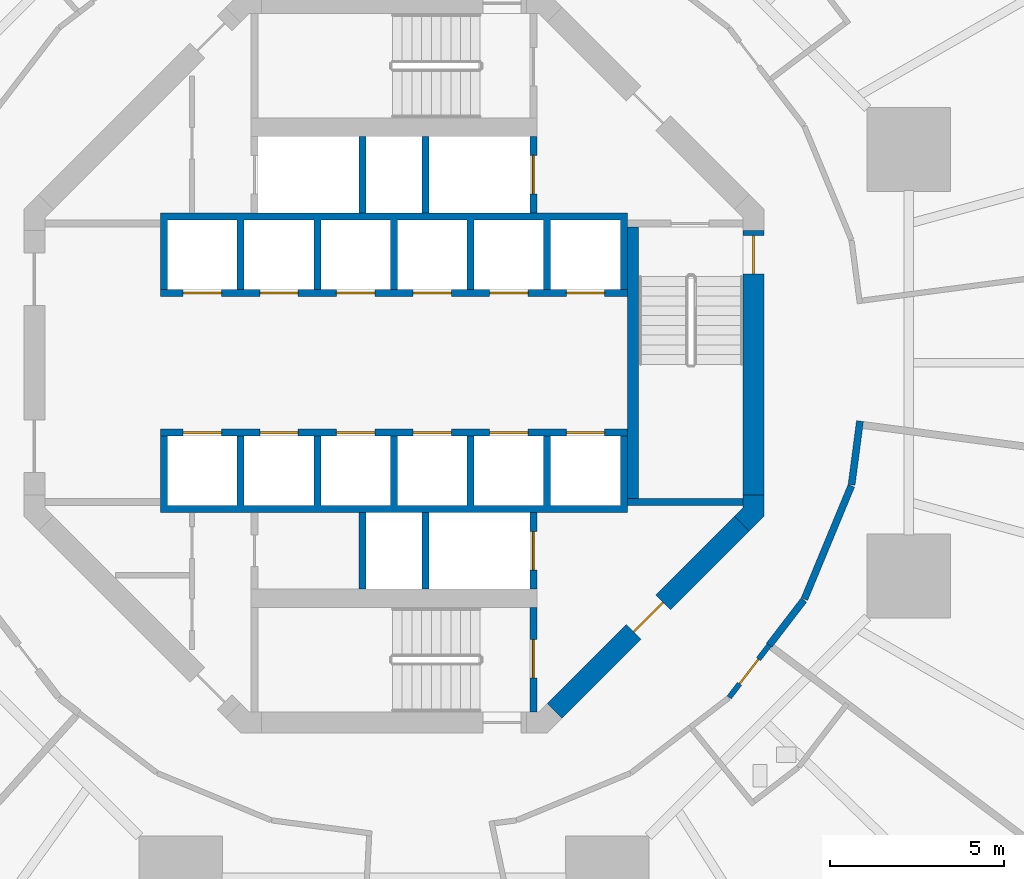
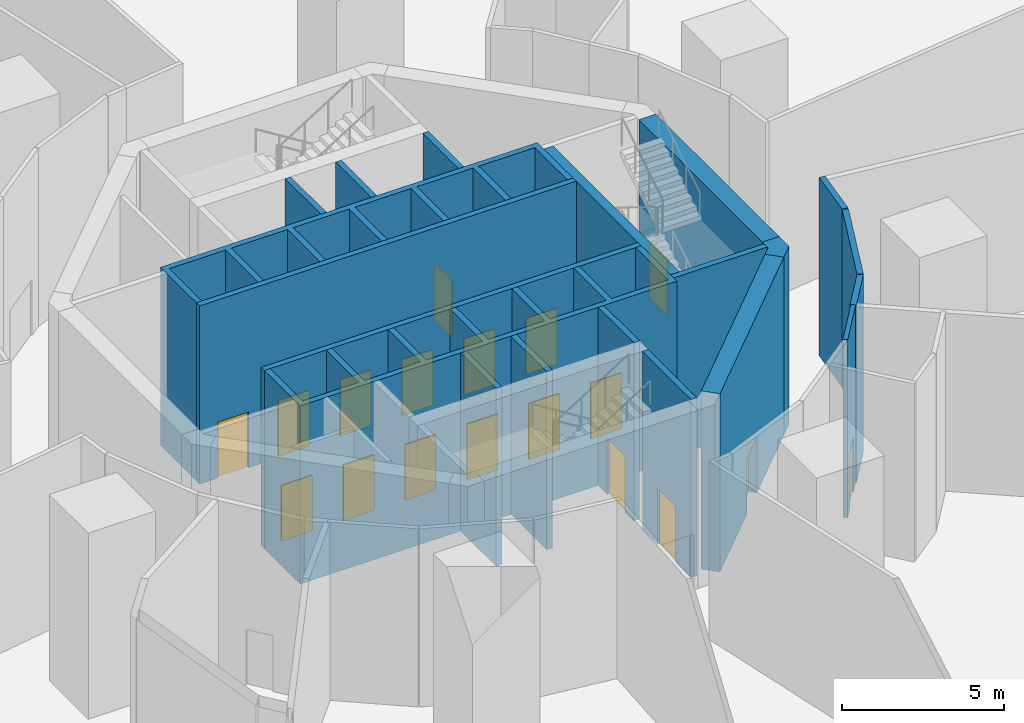
# One storey, part 60 of 67: 20 walls, 18 doors, 18 openings.
"""IFC4 building model written with IfcOpenShell, lengths in metres."""

from ifc_helpers import new_model, si_unit, direction, frame, frame_2d, origin, place, context, subcontext, project, spatial, polyline, rectangle, outline, extrude, material, layer, layer_set, type_object, element, fill, save


model = new_model("IFC4")

# Units and contexts
model_context = context("Model", 3, precision=1e-05, world=origin(), true_north=direction((0.0, 1.0)))
body_context = subcontext(model_context, "Body", "Model", "MODEL_VIEW")
ifc_project = project(units=[si_unit("LENGTHUNIT", "METRE"), si_unit("AREAUNIT", "SQUARE_METRE"), si_unit("VOLUMEUNIT", "CUBIC_METRE"), si_unit("PLANEANGLEUNIT", "RADIAN"), si_unit("MASSUNIT", "GRAM", prefix="KILO")], contexts=[model_context])

# Site, building, storey
site_placement = place(None, origin())
site = spatial("IfcSite", under=ifc_project, at=site_placement, CompositionType="ELEMENT")
building_placement = place(site_placement, origin())
building = spatial("IfcBuilding", under=site, at=building_placement, Name="Nagisa Residences", CompositionType="ELEMENT")
storey_placement = place(building_placement, origin())
storey = spatial("IfcBuildingStorey", under=building, at=storey_placement, Name="L00", CompositionType="ELEMENT", Elevation=0.0)

# Wall, opening, door
ifc_material_1 = material(Name="Concrete C60", Category="concrete")
ifc_layer_1 = layer(ifc_material_1, 0.60009765625)
ifc_layer_set_1 = layer_set([ifc_layer_1], Name="Core shear wall 600")
wall_type_1 = type_object("IfcWallType", Name="Core shear wall 600", PredefinedType="SHEAR", material=ifc_layer_set_1)
wall_1_placement = place(storey_placement, frame((10.32470703125, -3.80078125, 0.0), z_axis=(0.0, 0.0, 1.0), x_axis=(0.0, 1.0, 0.0)))
wall_1 = element("IfcWall", 1, at=wall_1_placement, inside=storey, type_object=wall_type_1, Name="wall:L00:core:flat0", PredefinedType="SHEAR", context=body_context, shape_type="SweptSolid", body=[
    extrude(rectangle(XDim=7.6015625, YDim=0.60009765625, at=frame_2d((3.80078125, 0.0))), origin(), (0.0, 0.0, 1.0), 6.699951171875),
])
opening_1_placement = place(wall_1_placement, frame((6.350830078125, 0.0, 0.0)))
opening_1 = element("IfcOpeningElement", 2, at=opening_1_placement, cuts=wall_1, Name="Opening L00-C29", PredefinedType="OPENING", context=body_context, shape_type="SweptSolid", body=[
    extrude(rectangle(XDim=1.10009765625, YDim=2.10009765625, at=frame_2d((0.550048828125, 1.050048828125))), frame((0.0, 0.31005859375, 0.0), z_axis=(0.0, -1.0, 0.0), x_axis=(1.0, 0.0, 0.0)), (0.0, 0.0, 1.0), 0.6201171875),
])
ifc_material_2 = material(Name="Steel fire door", Category="steel")
door_type_1 = type_object("IfcDoorType", Name="Fire door EI60 1100x2100 single swing", OperationType="NOTDEFINED", PredefinedType="DOOR", material=ifc_material_2)
door_1_placement = place(opening_1_placement, frame((1.10009765625, 0.0, 0.0), x_axis=(-1.0, 0.0, 0.0)))
door_1 = element("IfcDoor", 3, at=door_1_placement, inside=storey, type_object=door_type_1, Name="Exit door stair E", OperationType="SINGLE_SWING_LEFT", OverallHeight=2.10009765625, OverallWidth=1.10009765625, PredefinedType="DOOR", context=body_context, shape_type="SweptSolid", body=[
    extrude(rectangle(XDim=1.10009765625, YDim=2.10009765625, at=frame_2d((0.550048828125, 1.050048828125))), frame((0.0, 0.02490234375, 0.0), z_axis=(0.0, -1.0, 0.0), x_axis=(1.0, 0.0, 0.0)), (0.0, 0.0, 1.0), 0.050048828125),
])
fill(opening_1, door_1)

wall_2_placement = place(storey_placement, frame((4.613037109375, -9.98828125, 0.0), z_axis=(0.0, 0.0, 1.0), x_axis=(0.707106781187, 0.707106781187, 0.0)))
wall_2 = element("IfcWall", 4, at=wall_2_placement, inside=storey, type_object=wall_type_1, Name="wall:L00:core:flat7", PredefinedType="SHEAR", context=body_context, shape_type="SweptSolid", body=[
    extrude(rectangle(XDim=7.601806640625, YDim=0.60009765625, at=frame_2d((3.80078125, 0.0))), origin(), (0.0, 0.0, 1.0), 6.699951171875),
])
opening_2_placement = place(wall_2_placement, frame((3.200927734375, 0.0, 0.0)))
opening_2 = element("IfcOpeningElement", 5, at=opening_2_placement, cuts=wall_2, Name="Opening L00-C24", PredefinedType="OPENING", context=body_context, shape_type="SweptSolid", body=[
    extrude(rectangle(XDim=1.199951171875, YDim=2.10009765625, at=frame_2d((0.60009765625, 1.050048828125))), frame((0.0, 0.31005859375, 0.0), z_axis=(0.0, -1.0, 0.0), x_axis=(1.0, 0.0, 0.0)), (0.0, 0.0, 1.0), 0.6201171875),
])
ifc_material_3 = material(Name="Steel fire door", Category="steel")
door_type_2 = type_object("IfcDoorType", Name="Fire door EI60 1200x2100 single swing", OperationType="NOTDEFINED", PredefinedType="DOOR", material=ifc_material_3)
door_2_placement = place(opening_2_placement, origin())
door_2 = element("IfcDoor", 6, at=door_2_placement, inside=storey, type_object=door_type_2, Name="Firefighting lobby 2 door L00", OperationType="SINGLE_SWING_LEFT", OverallHeight=2.10009765625, OverallWidth=1.199951171875, PredefinedType="DOOR", context=body_context, shape_type="SweptSolid", body=[
    extrude(rectangle(XDim=1.199951171875, YDim=2.10009765625, at=frame_2d((0.60009765625, 1.050048828125))), frame((0.0, 0.02490234375, 0.0), z_axis=(0.0, -1.0, 0.0), x_axis=(1.0, 0.0, 0.0)), (0.0, 0.0, 1.0), 0.050048828125),
])
fill(opening_2, door_2)

# Wall
wall_3_placement = place(storey_placement, origin())
element("IfcWall", 7, at=wall_3_placement, inside=storey, type_object=wall_type_1, Name="wall:L00:core:pier7", PredefinedType="SHEAR", context=body_context, shape_type="SweptSolid", body=[
    extrude(outline(polyline([(10.200439453125, -4.8251953125), (9.776123046875, -4.40087890625), (10.024658203125, -4.15234375), (10.024658203125, -3.80078125), (10.62451171875, -3.80078125), (10.62451171875, -4.40087890625), (10.200439453125, -4.8251953125)])), origin(), (0.0, 0.0, 1.0), 6.699951171875),
])

# Wall, opening, door
ifc_material_4 = material(Name="Concrete C60", Category="concrete")
ifc_layer_2 = layer(ifc_material_4, 0.199951171875)
ifc_layer_set_2 = layer_set([ifc_layer_2], Name="Lift shaft wall 200")
wall_type_2 = type_object("IfcWallType", Name="Lift shaft wall 200", PredefinedType="SOLIDWALL", material=ifc_layer_set_2)
wall_4_placement = place(storey_placement, frame((4.0, 4.300048828125, 0.0), z_axis=(0.0, 0.0, 1.0), x_axis=(0.0, 1.0, 0.0)))
wall_4 = element("IfcWall", 8, at=wall_4_placement, inside=storey, type_object=wall_type_2, Name="wall:L00:Nb3", PredefinedType="SOLIDWALL", context=body_context, shape_type="SweptSolid", body=[
    extrude(rectangle(XDim=2.199951171875, YDim=0.199951171875, at=frame_2d((1.10009765625, 0.0))), origin(), (0.0, 0.0, 1.0), 6.699951171875),
])
opening_3_placement = place(wall_4_placement, frame((0.550048828125, 0.0, 0.0)))
opening_3 = element("IfcOpeningElement", 9, at=opening_3_placement, cuts=wall_4, Name="Opening L00-C13", PredefinedType="OPENING", context=body_context, shape_type="SweptSolid", body=[
    extrude(rectangle(XDim=1.10009765625, YDim=2.10009765625, at=frame_2d((0.550048828125, 1.050048828125))), frame((0.0, 0.10986328125, 0.0), z_axis=(0.0, -1.0, 0.0), x_axis=(1.0, 0.0, 0.0)), (0.0, 0.0, 1.0), 0.219970703125),
])
ifc_material_5 = material(Name="Stainless steel", Category="steel")
door_type_3 = type_object("IfcDoorType", Name="Lift landing door 1100x2100", OperationType="DOUBLE_DOOR_SLIDING", PredefinedType="DOOR", material=ifc_material_5)
door_3_placement = place(opening_3_placement, origin())
door_3 = element("IfcDoor", 10, at=door_3_placement, inside=storey, type_object=door_type_3, Name="Landing door FL1 L00", OperationType="DOUBLE_DOOR_SLIDING", OverallHeight=2.10009765625, OverallWidth=1.10009765625, PredefinedType="DOOR", context=body_context, shape_type="SweptSolid", body=[
    extrude(rectangle(XDim=1.10009765625, YDim=2.10009765625, at=frame_2d((0.550048828125, 1.050048828125))), frame((0.0, 0.02490234375, 0.0), z_axis=(0.0, -1.0, 0.0), x_axis=(1.0, 0.0, 0.0)), (0.0, 0.0, 1.0), 0.050048828125),
])
fill(opening_3, door_3)

# Wall, openings, doors
wall_5_placement = place(storey_placement, frame((-6.699951171875, 2.0, 0.0), z_axis=(0.0, 0.0, 1.0), x_axis=(1.0, 0.0, 0.0)))
wall_5 = element("IfcWall", 11, at=wall_5_placement, inside=storey, type_object=wall_type_2, Name="wall:L00:Nfront", PredefinedType="SOLIDWALL", context=body_context, shape_type="SweptSolid", body=[
    extrude(rectangle(XDim=13.39990234375, YDim=0.199951171875, at=frame_2d((6.699951171875, 0.0))), origin(), (0.0, 0.0, 1.0), 6.699951171875),
])
opening_4_placement = place(wall_5_placement, frame((0.64990234375, 0.0, 0.0)))
opening_4 = element("IfcOpeningElement", 12, at=opening_4_placement, cuts=wall_5, Name="Opening L00-C01", PredefinedType="OPENING", context=body_context, shape_type="SweptSolid", body=[
    extrude(rectangle(XDim=1.10009765625, YDim=2.10009765625, at=frame_2d((0.550048828125, 1.050048828125))), frame((0.0, 0.10986328125, 0.0), z_axis=(0.0, -1.0, 0.0), x_axis=(1.0, 0.0, 0.0)), (0.0, 0.0, 1.0), 0.219970703125),
])
opening_5_placement = place(wall_5_placement, frame((2.85009765625, 0.0, 0.0)))
opening_5 = element("IfcOpeningElement", 13, at=opening_5_placement, cuts=wall_5, Name="Opening L00-C02", PredefinedType="OPENING", context=body_context, shape_type="SweptSolid", body=[
    extrude(rectangle(XDim=1.10009765625, YDim=2.10009765625, at=frame_2d((0.550048828125, 1.050048828125))), frame((0.0, 0.10986328125, 0.0), z_axis=(0.0, -1.0, 0.0), x_axis=(1.0, 0.0, 0.0)), (0.0, 0.0, 1.0), 0.219970703125),
])
opening_6_placement = place(wall_5_placement, frame((5.050048828125, 0.0, 0.0)))
opening_6 = element("IfcOpeningElement", 14, at=opening_6_placement, cuts=wall_5, Name="Opening L00-C03", PredefinedType="OPENING", context=body_context, shape_type="SweptSolid", body=[
    extrude(rectangle(XDim=1.10009765625, YDim=2.10009765625, at=frame_2d((0.550048828125, 1.050048828125))), frame((0.0, 0.10986328125, 0.0), z_axis=(0.0, -1.0, 0.0), x_axis=(1.0, 0.0, 0.0)), (0.0, 0.0, 1.0), 0.219970703125),
])
opening_7_placement = place(wall_5_placement, frame((7.25, 0.0, 0.0)))
opening_7 = element("IfcOpeningElement", 15, at=opening_7_placement, cuts=wall_5, Name="Opening L00-C04", PredefinedType="OPENING", context=body_context, shape_type="SweptSolid", body=[
    extrude(rectangle(XDim=1.10009765625, YDim=2.10009765625, at=frame_2d((0.550048828125, 1.050048828125))), frame((0.0, 0.10986328125, 0.0), z_axis=(0.0, -1.0, 0.0), x_axis=(1.0, 0.0, 0.0)), (0.0, 0.0, 1.0), 0.219970703125),
])
opening_8_placement = place(wall_5_placement, frame((9.449951171875, 0.0, 0.0)))
opening_8 = element("IfcOpeningElement", 16, at=opening_8_placement, cuts=wall_5, Name="Opening L00-C05", PredefinedType="OPENING", context=body_context, shape_type="SweptSolid", body=[
    extrude(rectangle(XDim=1.10009765625, YDim=2.10009765625, at=frame_2d((0.550048828125, 1.050048828125))), frame((0.0, 0.10986328125, 0.0), z_axis=(0.0, -1.0, 0.0), x_axis=(1.0, 0.0, 0.0)), (0.0, 0.0, 1.0), 0.219970703125),
])
opening_9_placement = place(wall_5_placement, frame((11.64990234375, 0.0, 0.0)))
opening_9 = element("IfcOpeningElement", 17, at=opening_9_placement, cuts=wall_5, Name="Opening L00-C06", PredefinedType="OPENING", context=body_context, shape_type="SweptSolid", body=[
    extrude(rectangle(XDim=1.10009765625, YDim=2.10009765625, at=frame_2d((0.550048828125, 1.050048828125))), frame((0.0, 0.10986328125, 0.0), z_axis=(0.0, -1.0, 0.0), x_axis=(1.0, 0.0, 0.0)), (0.0, 0.0, 1.0), 0.219970703125),
])
door_4_placement = place(opening_4_placement, origin())
door_4 = element("IfcDoor", 18, at=door_4_placement, inside=storey, type_object=door_type_3, Name="Landing door A1 L00", OperationType="DOUBLE_DOOR_SLIDING", OverallHeight=2.10009765625, OverallWidth=1.10009765625, PredefinedType="DOOR", context=body_context, shape_type="SweptSolid", body=[
    extrude(rectangle(XDim=1.10009765625, YDim=2.10009765625, at=frame_2d((0.550048828125, 1.050048828125))), frame((0.0, 0.02490234375, 0.0), z_axis=(0.0, -1.0, 0.0), x_axis=(1.0, 0.0, 0.0)), (0.0, 0.0, 1.0), 0.050048828125),
])
fill(opening_4, door_4)
door_5_placement = place(opening_5_placement, origin())
door_5 = element("IfcDoor", 19, at=door_5_placement, inside=storey, type_object=door_type_3, Name="Landing door A2 L00", OperationType="DOUBLE_DOOR_SLIDING", OverallHeight=2.10009765625, OverallWidth=1.10009765625, PredefinedType="DOOR", context=body_context, shape_type="SweptSolid", body=[
    extrude(rectangle(XDim=1.10009765625, YDim=2.10009765625, at=frame_2d((0.550048828125, 1.050048828125))), frame((0.0, 0.02490234375, 0.0), z_axis=(0.0, -1.0, 0.0), x_axis=(1.0, 0.0, 0.0)), (0.0, 0.0, 1.0), 0.050048828125),
])
fill(opening_5, door_5)
door_6_placement = place(opening_6_placement, origin())
door_6 = element("IfcDoor", 20, at=door_6_placement, inside=storey, type_object=door_type_3, Name="Landing door A3 L00", OperationType="DOUBLE_DOOR_SLIDING", OverallHeight=2.10009765625, OverallWidth=1.10009765625, PredefinedType="DOOR", context=body_context, shape_type="SweptSolid", body=[
    extrude(rectangle(XDim=1.10009765625, YDim=2.10009765625, at=frame_2d((0.550048828125, 1.050048828125))), frame((0.0, 0.02490234375, 0.0), z_axis=(0.0, -1.0, 0.0), x_axis=(1.0, 0.0, 0.0)), (0.0, 0.0, 1.0), 0.050048828125),
])
fill(opening_6, door_6)
door_7_placement = place(opening_7_placement, origin())
door_7 = element("IfcDoor", 21, at=door_7_placement, inside=storey, type_object=door_type_3, Name="Landing door B1 L00", OperationType="DOUBLE_DOOR_SLIDING", OverallHeight=2.10009765625, OverallWidth=1.10009765625, PredefinedType="DOOR", context=body_context, shape_type="SweptSolid", body=[
    extrude(rectangle(XDim=1.10009765625, YDim=2.10009765625, at=frame_2d((0.550048828125, 1.050048828125))), frame((0.0, 0.02490234375, 0.0), z_axis=(0.0, -1.0, 0.0), x_axis=(1.0, 0.0, 0.0)), (0.0, 0.0, 1.0), 0.050048828125),
])
fill(opening_7, door_7)
door_8_placement = place(opening_8_placement, origin())
door_8 = element("IfcDoor", 22, at=door_8_placement, inside=storey, type_object=door_type_3, Name="Landing door B2 L00", OperationType="DOUBLE_DOOR_SLIDING", OverallHeight=2.10009765625, OverallWidth=1.10009765625, PredefinedType="DOOR", context=body_context, shape_type="SweptSolid", body=[
    extrude(rectangle(XDim=1.10009765625, YDim=2.10009765625, at=frame_2d((0.550048828125, 1.050048828125))), frame((0.0, 0.02490234375, 0.0), z_axis=(0.0, -1.0, 0.0), x_axis=(1.0, 0.0, 0.0)), (0.0, 0.0, 1.0), 0.050048828125),
])
fill(opening_8, door_8)
door_9_placement = place(opening_9_placement, origin())
door_9 = element("IfcDoor", 23, at=door_9_placement, inside=storey, type_object=door_type_3, Name="Landing door C1 L00", OperationType="DOUBLE_DOOR_SLIDING", OverallHeight=2.10009765625, OverallWidth=1.10009765625, PredefinedType="DOOR", context=body_context, shape_type="SweptSolid", body=[
    extrude(rectangle(XDim=1.10009765625, YDim=2.10009765625, at=frame_2d((0.550048828125, 1.050048828125))), frame((0.0, 0.02490234375, 0.0), z_axis=(0.0, -1.0, 0.0), x_axis=(1.0, 0.0, 0.0)), (0.0, 0.0, 1.0), 0.050048828125),
])
fill(opening_9, door_9)

# Wall, opening, door
wall_6_placement = place(storey_placement, frame((4.0, -6.5, 0.0), z_axis=(0.0, 0.0, 1.0), x_axis=(0.0, 1.0, 0.0)))
wall_6 = element("IfcWall", 24, at=wall_6_placement, inside=storey, type_object=wall_type_2, Name="wall:L00:Sb3", PredefinedType="SOLIDWALL", context=body_context, shape_type="SweptSolid", body=[
    extrude(rectangle(XDim=2.199951171875, YDim=0.199951171875, at=frame_2d((1.10009765625, 0.0))), origin(), (0.0, 0.0, 1.0), 6.699951171875),
])
opening_10_placement = place(wall_6_placement, frame((0.550048828125, 0.0, 0.0)))
opening_10 = element("IfcOpeningElement", 25, at=opening_10_placement, cuts=wall_6, Name="Opening L00-C14", PredefinedType="OPENING", context=body_context, shape_type="SweptSolid", body=[
    extrude(rectangle(XDim=1.10009765625, YDim=2.10009765625, at=frame_2d((0.550048828125, 1.050048828125))), frame((0.0, 0.10986328125, 0.0), z_axis=(0.0, -1.0, 0.0), x_axis=(1.0, 0.0, 0.0)), (0.0, 0.0, 1.0), 0.219970703125),
])
door_10_placement = place(opening_10_placement, origin())
door_10 = element("IfcDoor", 26, at=door_10_placement, inside=storey, type_object=door_type_3, Name="Landing door FL2 L00", OperationType="DOUBLE_DOOR_SLIDING", OverallHeight=2.10009765625, OverallWidth=1.10009765625, PredefinedType="DOOR", context=body_context, shape_type="SweptSolid", body=[
    extrude(rectangle(XDim=1.10009765625, YDim=2.10009765625, at=frame_2d((0.550048828125, 1.050048828125))), frame((0.0, 0.02490234375, 0.0), z_axis=(0.0, -1.0, 0.0), x_axis=(1.0, 0.0, 0.0)), (0.0, 0.0, 1.0), 0.050048828125),
])
fill(opening_10, door_10)

# Wall, openings, doors
wall_7_placement = place(storey_placement, frame((-6.699951171875, -2.0, 0.0), z_axis=(0.0, 0.0, 1.0), x_axis=(1.0, 0.0, 0.0)))
wall_7 = element("IfcWall", 27, at=wall_7_placement, inside=storey, type_object=wall_type_2, Name="wall:L00:Sfront", PredefinedType="SOLIDWALL", context=body_context, shape_type="SweptSolid", body=[
    extrude(rectangle(XDim=13.39990234375, YDim=0.199951171875, at=frame_2d((6.699951171875, 0.0))), origin(), (0.0, 0.0, 1.0), 6.699951171875),
])
opening_11_placement = place(wall_7_placement, frame((0.64990234375, 0.0, 0.0)))
opening_11 = element("IfcOpeningElement", 28, at=opening_11_placement, cuts=wall_7, Name="Opening L00-C07", PredefinedType="OPENING", context=body_context, shape_type="SweptSolid", body=[
    extrude(rectangle(XDim=1.10009765625, YDim=2.10009765625, at=frame_2d((0.550048828125, 1.050048828125))), frame((0.0, 0.10986328125, 0.0), z_axis=(0.0, -1.0, 0.0), x_axis=(1.0, 0.0, 0.0)), (0.0, 0.0, 1.0), 0.219970703125),
])
opening_12_placement = place(wall_7_placement, frame((2.85009765625, 0.0, 0.0)))
opening_12 = element("IfcOpeningElement", 29, at=opening_12_placement, cuts=wall_7, Name="Opening L00-C08", PredefinedType="OPENING", context=body_context, shape_type="SweptSolid", body=[
    extrude(rectangle(XDim=1.10009765625, YDim=2.10009765625, at=frame_2d((0.550048828125, 1.050048828125))), frame((0.0, 0.10986328125, 0.0), z_axis=(0.0, -1.0, 0.0), x_axis=(1.0, 0.0, 0.0)), (0.0, 0.0, 1.0), 0.219970703125),
])
opening_13_placement = place(wall_7_placement, frame((5.050048828125, 0.0, 0.0)))
opening_13 = element("IfcOpeningElement", 30, at=opening_13_placement, cuts=wall_7, Name="Opening L00-C09", PredefinedType="OPENING", context=body_context, shape_type="SweptSolid", body=[
    extrude(rectangle(XDim=1.10009765625, YDim=2.10009765625, at=frame_2d((0.550048828125, 1.050048828125))), frame((0.0, 0.10986328125, 0.0), z_axis=(0.0, -1.0, 0.0), x_axis=(1.0, 0.0, 0.0)), (0.0, 0.0, 1.0), 0.219970703125),
])
opening_14_placement = place(wall_7_placement, frame((7.25, 0.0, 0.0)))
opening_14 = element("IfcOpeningElement", 31, at=opening_14_placement, cuts=wall_7, Name="Opening L00-C10", PredefinedType="OPENING", context=body_context, shape_type="SweptSolid", body=[
    extrude(rectangle(XDim=1.10009765625, YDim=2.10009765625, at=frame_2d((0.550048828125, 1.050048828125))), frame((0.0, 0.10986328125, 0.0), z_axis=(0.0, -1.0, 0.0), x_axis=(1.0, 0.0, 0.0)), (0.0, 0.0, 1.0), 0.219970703125),
])
opening_15_placement = place(wall_7_placement, frame((9.449951171875, 0.0, 0.0)))
opening_15 = element("IfcOpeningElement", 32, at=opening_15_placement, cuts=wall_7, Name="Opening L00-C11", PredefinedType="OPENING", context=body_context, shape_type="SweptSolid", body=[
    extrude(rectangle(XDim=1.10009765625, YDim=2.10009765625, at=frame_2d((0.550048828125, 1.050048828125))), frame((0.0, 0.10986328125, 0.0), z_axis=(0.0, -1.0, 0.0), x_axis=(1.0, 0.0, 0.0)), (0.0, 0.0, 1.0), 0.219970703125),
])
opening_16_placement = place(wall_7_placement, frame((11.64990234375, 0.0, 0.0)))
opening_16 = element("IfcOpeningElement", 33, at=opening_16_placement, cuts=wall_7, Name="Opening L00-C12", PredefinedType="OPENING", context=body_context, shape_type="SweptSolid", body=[
    extrude(rectangle(XDim=1.10009765625, YDim=2.10009765625, at=frame_2d((0.550048828125, 1.050048828125))), frame((0.0, 0.10986328125, 0.0), z_axis=(0.0, -1.0, 0.0), x_axis=(1.0, 0.0, 0.0)), (0.0, 0.0, 1.0), 0.219970703125),
])
door_11_placement = place(opening_11_placement, origin())
door_11 = element("IfcDoor", 34, at=door_11_placement, inside=storey, type_object=door_type_3, Name="Landing door A4 L00", OperationType="DOUBLE_DOOR_SLIDING", OverallHeight=2.10009765625, OverallWidth=1.10009765625, PredefinedType="DOOR", context=body_context, shape_type="SweptSolid", body=[
    extrude(rectangle(XDim=1.10009765625, YDim=2.10009765625, at=frame_2d((0.550048828125, 1.050048828125))), frame((0.0, 0.02490234375, 0.0), z_axis=(0.0, -1.0, 0.0), x_axis=(1.0, 0.0, 0.0)), (0.0, 0.0, 1.0), 0.050048828125),
])
fill(opening_11, door_11)
door_12_placement = place(opening_12_placement, origin())
door_12 = element("IfcDoor", 35, at=door_12_placement, inside=storey, type_object=door_type_3, Name="Landing door A5 L00", OperationType="DOUBLE_DOOR_SLIDING", OverallHeight=2.10009765625, OverallWidth=1.10009765625, PredefinedType="DOOR", context=body_context, shape_type="SweptSolid", body=[
    extrude(rectangle(XDim=1.10009765625, YDim=2.10009765625, at=frame_2d((0.550048828125, 1.050048828125))), frame((0.0, 0.02490234375, 0.0), z_axis=(0.0, -1.0, 0.0), x_axis=(1.0, 0.0, 0.0)), (0.0, 0.0, 1.0), 0.050048828125),
])
fill(opening_12, door_12)
door_13_placement = place(opening_13_placement, origin())
door_13 = element("IfcDoor", 36, at=door_13_placement, inside=storey, type_object=door_type_3, Name="Landing door B3 L00", OperationType="DOUBLE_DOOR_SLIDING", OverallHeight=2.10009765625, OverallWidth=1.10009765625, PredefinedType="DOOR", context=body_context, shape_type="SweptSolid", body=[
    extrude(rectangle(XDim=1.10009765625, YDim=2.10009765625, at=frame_2d((0.550048828125, 1.050048828125))), frame((0.0, 0.02490234375, 0.0), z_axis=(0.0, -1.0, 0.0), x_axis=(1.0, 0.0, 0.0)), (0.0, 0.0, 1.0), 0.050048828125),
])
fill(opening_13, door_13)
door_14_placement = place(opening_14_placement, origin())
door_14 = element("IfcDoor", 37, at=door_14_placement, inside=storey, type_object=door_type_3, Name="Landing door B4 L00", OperationType="DOUBLE_DOOR_SLIDING", OverallHeight=2.10009765625, OverallWidth=1.10009765625, PredefinedType="DOOR", context=body_context, shape_type="SweptSolid", body=[
    extrude(rectangle(XDim=1.10009765625, YDim=2.10009765625, at=frame_2d((0.550048828125, 1.050048828125))), frame((0.0, 0.02490234375, 0.0), z_axis=(0.0, -1.0, 0.0), x_axis=(1.0, 0.0, 0.0)), (0.0, 0.0, 1.0), 0.050048828125),
])
fill(opening_14, door_14)
door_15_placement = place(opening_15_placement, origin())
door_15 = element("IfcDoor", 38, at=door_15_placement, inside=storey, type_object=door_type_3, Name="Landing door C2 L00", OperationType="DOUBLE_DOOR_SLIDING", OverallHeight=2.10009765625, OverallWidth=1.10009765625, PredefinedType="DOOR", context=body_context, shape_type="SweptSolid", body=[
    extrude(rectangle(XDim=1.10009765625, YDim=2.10009765625, at=frame_2d((0.550048828125, 1.050048828125))), frame((0.0, 0.02490234375, 0.0), z_axis=(0.0, -1.0, 0.0), x_axis=(1.0, 0.0, 0.0)), (0.0, 0.0, 1.0), 0.050048828125),
])
fill(opening_15, door_15)
door_16_placement = place(opening_16_placement, origin())
door_16 = element("IfcDoor", 39, at=door_16_placement, inside=storey, type_object=door_type_3, Name="Landing door C3 L00", OperationType="DOUBLE_DOOR_SLIDING", OverallHeight=2.10009765625, OverallWidth=1.10009765625, PredefinedType="DOOR", context=body_context, shape_type="SweptSolid", body=[
    extrude(rectangle(XDim=1.10009765625, YDim=2.10009765625, at=frame_2d((0.550048828125, 1.050048828125))), frame((0.0, 0.02490234375, 0.0), z_axis=(0.0, -1.0, 0.0), x_axis=(1.0, 0.0, 0.0)), (0.0, 0.0, 1.0), 0.050048828125),
])
fill(opening_16, door_16)

# Walls
for number, where, z_axis, x_axis, name in (
    (40, (-0.89990234375, -6.5, 0.0), (0.0, 0.0, 1.0), (0.0, 1.0, 0.0), "wall:L00:Sb1"),
    (41, (0.89990234375, -6.5, 0.0), (0.0, 0.0, 1.0), (0.0, 1.0, 0.0), "wall:L00:Sb2"),
):
    element("IfcWall", number, at=place(storey_placement, frame(where, z_axis=z_axis, x_axis=x_axis)), inside=storey, type_object=wall_type_2, Name=name, PredefinedType="SOLIDWALL", context=body_context, shape_type="SweptSolid", body=[
        extrude(rectangle(XDim=2.199951171875, YDim=0.199951171875, at=frame_2d((1.10009765625, 0.0))), origin(), (0.0, 0.0, 1.0), 6.699951171875),
    ])
wall_8_placement = place(storey_placement, origin())
element("IfcWall", 42, at=wall_8_placement, inside=storey, type_object=wall_type_2, Name="wall:L00:Sback", PredefinedType="SOLIDWALL", context=body_context, shape_type="SweptSolid", body=[
    extrude(outline(polyline([(-6.699951171875, -2.10009765625), (-6.5, -2.10009765625), (-6.5, -4.10009765625), (-4.5, -4.10009765625), (-4.5, -2.10009765625), (-4.300048828125, -2.10009765625), (-4.300048828125, -4.10009765625), (-2.300048828125, -4.10009765625), (-2.300048828125, -2.10009765625), (-2.10009765625, -2.10009765625), (-2.10009765625, -4.10009765625), (-0.10009765625, -4.10009765625), (-0.10009765625, -2.10009765625), (0.10009765625, -2.10009765625), (0.10009765625, -4.10009765625), (2.10009765625, -4.10009765625), (2.10009765625, -2.10009765625), (2.300048828125, -2.10009765625), (2.300048828125, -4.10009765625), (4.300048828125, -4.10009765625), (4.300048828125, -2.10009765625), (4.5, -2.10009765625), (4.5, -4.10009765625), (6.5, -4.10009765625), (6.5, -2.10009765625), (6.699951171875, -2.10009765625), (6.699951171875, -4.300048828125), (-6.699951171875, -4.300048828125), (-6.699951171875, -2.10009765625)])), origin(), (0.0, 0.0, 1.0), 6.699951171875),
])
for number, where, z_axis, x_axis, name in (
    (43, (-0.89990234375, 4.300048828125, 0.0), (0.0, 0.0, 1.0), (0.0, 1.0, 0.0), "wall:L00:Nb1"),
    (44, (0.89990234375, 4.300048828125, 0.0), (0.0, 0.0, 1.0), (0.0, 1.0, 0.0), "wall:L00:Nb2"),
):
    element("IfcWall", number, at=place(storey_placement, frame(where, z_axis=z_axis, x_axis=x_axis)), inside=storey, type_object=wall_type_2, Name=name, PredefinedType="SOLIDWALL", context=body_context, shape_type="SweptSolid", body=[
        extrude(rectangle(XDim=2.199951171875, YDim=0.199951171875, at=frame_2d((1.10009765625, 0.0))), origin(), (0.0, 0.0, 1.0), 6.699951171875),
    ])
wall_9_placement = place(storey_placement, origin())
element("IfcWall", 45, at=wall_9_placement, inside=storey, type_object=wall_type_2, Name="wall:L00:Nback", PredefinedType="SOLIDWALL", context=body_context, shape_type="SweptSolid", body=[
    extrude(outline(polyline([(-6.5, 2.10009765625), (-6.699951171875, 2.10009765625), (-6.699951171875, 4.300048828125), (6.699951171875, 4.300048828125), (6.699951171875, 2.10009765625), (6.5, 2.10009765625), (6.5, 4.10009765625), (4.5, 4.10009765625), (4.5, 2.10009765625), (4.300048828125, 2.10009765625), (4.300048828125, 4.10009765625), (2.300048828125, 4.10009765625), (2.300048828125, 2.10009765625), (2.10009765625, 2.10009765625), (2.10009765625, 4.10009765625), (0.10009765625, 4.10009765625), (0.10009765625, 2.10009765625), (-0.10009765625, 2.10009765625), (-0.10009765625, 4.10009765625), (-2.10009765625, 4.10009765625), (-2.10009765625, 2.10009765625), (-2.300048828125, 2.10009765625), (-2.300048828125, 4.10009765625), (-4.300048828125, 4.10009765625), (-4.300048828125, 2.10009765625), (-4.5, 2.10009765625), (-4.5, 4.10009765625), (-6.5, 4.10009765625), (-6.5, 2.10009765625)])), origin(), (0.0, 0.0, 1.0), 6.699951171875),
])
ifc_material_6 = material(Name="Gypsum board on steel studs", Category="steel")
ifc_layer_3 = layer(ifc_material_6, 0.199951171875)
ifc_layer_set_3 = layer_set([ifc_layer_3], Name="Plant room wall EI120 200")
wall_type_3 = type_object("IfcWallType", Name="Plant room wall EI120 200", PredefinedType="PARTITIONING", material=ifc_layer_set_3)
wall_10_placement = place(storey_placement, frame((10.773681640625, -8.10888671875, 0.0), z_axis=(0.0, 0.0, 1.0), x_axis=(0.608663561698, 0.79342842693, 0.0)))
element("IfcWall", 46, at=wall_10_placement, inside=storey, type_object=wall_type_3, Name="wall:L00:am088", PredefinedType="PARTITIONING", context=body_context, shape_type="SweptSolid", body=[
    extrude(rectangle(XDim=1.634521484375, YDim=0.199951171875, at=frame_2d((0.8173828125, 0.0))), origin(), (0.0, 0.0, 1.0), 6.699951171875),
])
wall_11_placement = place(storey_placement, frame((11.78369140625, -6.785888671875, 0.0), z_axis=(0.0, 0.0, 1.0), x_axis=(0.382723413813, 0.92386297064, 0.0)))
element("IfcWall", 47, at=wall_11_placement, inside=storey, type_object=wall_type_3, Name="wall:L00:am089", PredefinedType="PARTITIONING", context=body_context, shape_type="SweptSolid", body=[
    extrude(rectangle(XDim=3.52001953125, YDim=0.199951171875, at=frame_2d((1.760009765625, 0.0))), origin(), (0.0, 0.0, 1.0), 6.699951171875),
])
wall_12_placement = place(storey_placement, frame((13.138671875, -3.5048828125, 0.0), z_axis=(0.0, 0.0, 1.0), x_axis=(0.130430559403, 0.991457446981, 0.0)))
element("IfcWall", 48, at=wall_12_placement, inside=storey, type_object=wall_type_3, Name="wall:L00:am090", PredefinedType="PARTITIONING", context=body_context, shape_type="SweptSolid", body=[
    extrude(rectangle(XDim=1.845703125, YDim=0.199951171875, at=frame_2d((0.9228515625, 0.0))), origin(), (0.0, 0.0, 1.0), 6.699951171875),
])

# Wall, opening, door
ifc_material_7 = material(Name="Gypsum board on steel studs", Category="steel")
ifc_layer_4 = layer(ifc_material_7, 0.14990234375)
ifc_layer_set_4 = layer_set([ifc_layer_4], Name="Room partition EI60 150")
wall_type_4 = type_object("IfcWallType", Name="Room partition EI60 150", PredefinedType="PARTITIONING", material=ifc_layer_set_4)
wall_13_placement = place(storey_placement, frame((10.773681640625, -8.10888671875, 0.0), z_axis=(0.0, 0.0, 1.0), x_axis=(-0.608754453805, -0.793358692504, 0.0)))
wall_13 = element("IfcWall", 49, at=wall_13_placement, inside=storey, type_object=wall_type_4, Name="wall:L00:am059", PredefinedType="PARTITIONING", context=body_context, shape_type="SweptSolid", body=[
    extrude(rectangle(XDim=1.888427734375, YDim=0.14990234375, at=frame_2d((0.9443359375, 0.0))), origin(), (0.0, 0.0, 1.0), 6.699951171875),
])
opening_17_placement = place(wall_13_placement, frame((0.500244140625, 0.0, 0.0)))
opening_17 = element("IfcOpeningElement", 50, at=opening_17_placement, cuts=wall_13, Name="Opening L00-A09", PredefinedType="OPENING", context=body_context, shape_type="SweptSolid", body=[
    extrude(rectangle(XDim=0.89990234375, YDim=2.10009765625, at=frame_2d((0.449951171875, 1.050048828125))), frame((0.0, 0.0849609375, 0.0), z_axis=(0.0, -1.0, 0.0), x_axis=(1.0, 0.0, 0.0)), (0.0, 0.0, 1.0), 0.169921875),
])
ifc_material_8 = material(Name="Steel fire door", Category="steel")
door_type_4 = type_object("IfcDoorType", Name="Fire door EI30 900x2100 single swing", OperationType="NOTDEFINED", PredefinedType="DOOR", material=ifc_material_8)
door_17_placement = place(opening_17_placement, origin())
door_17 = element("IfcDoor", 51, at=door_17_placement, inside=storey, type_object=door_type_4, Name="WC door", OperationType="SINGLE_SWING_LEFT", OverallHeight=2.10009765625, OverallWidth=0.89990234375, PredefinedType="DOOR", context=body_context, shape_type="SweptSolid", body=[
    extrude(rectangle(XDim=0.89990234375, YDim=2.10009765625, at=frame_2d((0.449951171875, 1.050048828125))), frame((0.0, 0.02490234375, 0.0), z_axis=(0.0, -1.0, 0.0), x_axis=(1.0, 0.0, 0.0)), (0.0, 0.0, 1.0), 0.050048828125),
])
fill(opening_17, door_17)

ifc_material_9 = material(Name="Concrete C60", Category="concrete")
ifc_layer_5 = layer(ifc_material_9, 0.199951171875)
ifc_layer_set_5 = layer_set([ifc_layer_5], Name="Stair enclosure wall 200")
wall_type_5 = type_object("IfcWallType", Name="Stair enclosure wall 200", PredefinedType="SOLIDWALL", material=ifc_layer_set_5)
wall_14_placement = place(storey_placement, frame((4.0, -10.024658203125, 0.0), z_axis=(0.0, 0.0, 1.0), x_axis=(0.0, 1.0, 0.0)))
wall_14 = element("IfcWall", 52, at=wall_14_placement, inside=storey, type_object=wall_type_5, Name="wall:L00:SS_e", PredefinedType="SOLIDWALL", context=body_context, shape_type="SweptSolid", body=[
    extrude(rectangle(XDim=3.0, YDim=0.199951171875, at=frame_2d((1.5, 0.0))), origin(), (0.0, 0.0, 1.0), 6.699951171875),
])
opening_18_placement = place(wall_14_placement, frame((0.974609375, 0.0, 0.0)))
opening_18 = element("IfcOpeningElement", 53, at=opening_18_placement, cuts=wall_14, Name="Opening L00-C18", PredefinedType="OPENING", context=body_context, shape_type="SweptSolid", body=[
    extrude(rectangle(XDim=1.10009765625, YDim=2.10009765625, at=frame_2d((0.550048828125, 1.050048828125))), frame((0.0, 0.10986328125, 0.0), z_axis=(0.0, -1.0, 0.0), x_axis=(1.0, 0.0, 0.0)), (0.0, 0.0, 1.0), 0.219970703125),
])
ifc_material_10 = material(Name="Steel fire door", Category="steel")
door_type_5 = type_object("IfcDoorType", Name="Fire door EI90 1100x2100 single swing", OperationType="NOTDEFINED", PredefinedType="DOOR", material=ifc_material_10)
door_18_placement = place(opening_18_placement, origin())
door_18 = element("IfcDoor", 54, at=door_18_placement, inside=storey, type_object=door_type_5, Name="Stair door ST-S L00", OperationType="SINGLE_SWING_RIGHT", OverallHeight=2.10009765625, OverallWidth=1.10009765625, PredefinedType="DOOR", context=body_context, shape_type="SweptSolid", body=[
    extrude(rectangle(XDim=1.10009765625, YDim=2.10009765625, at=frame_2d((0.550048828125, 1.050048828125))), frame((0.0, 0.02490234375, 0.0), z_axis=(0.0, -1.0, 0.0), x_axis=(1.0, 0.0, 0.0)), (0.0, 0.0, 1.0), 0.050048828125),
])
fill(opening_18, door_18)

# Walls
wall_15_placement = place(storey_placement, origin())
element("IfcWall", 55, at=wall_15_placement, inside=storey, type_object=wall_type_5, Name="wall:L00:SE_w", PredefinedType="SOLIDWALL", context=body_context, shape_type="SweptSolid", body=[
    extrude(outline(polyline([(7.024658203125, -3.89990234375), (6.699951171875, -3.89990234375), (6.699951171875, 3.89990234375), (7.024658203125, 3.89990234375), (7.024658203125, -3.89990234375)])), origin(), (0.0, 0.0, 1.0), 6.699951171875),
])
wall_16_placement = place(storey_placement, origin())
element("IfcWall", 56, at=wall_16_placement, inside=storey, type_object=wall_type_5, Name="wall:L00:SE_s", PredefinedType="SOLIDWALL", context=body_context, shape_type="SweptSolid", body=[
    extrude(outline(polyline([(10.024658203125, -4.10009765625), (6.699951171875, -4.10009765625), (6.699951171875, -3.89990234375), (10.024658203125, -3.89990234375), (10.024658203125, -4.10009765625)])), origin(), (0.0, 0.0, 1.0), 6.699951171875),
])

save(model, "model.ifc")
